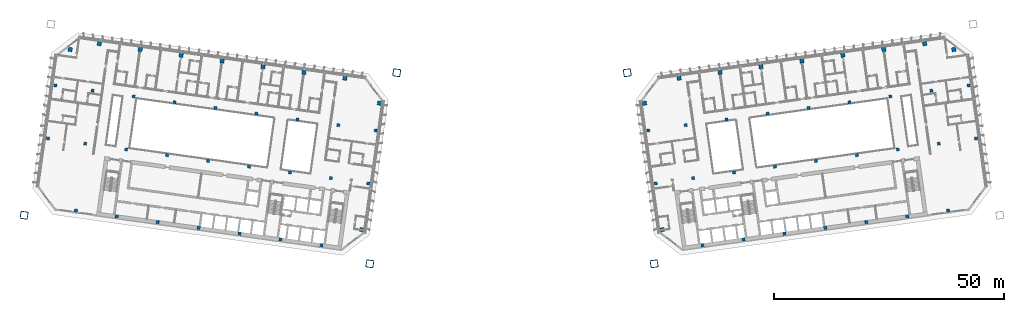
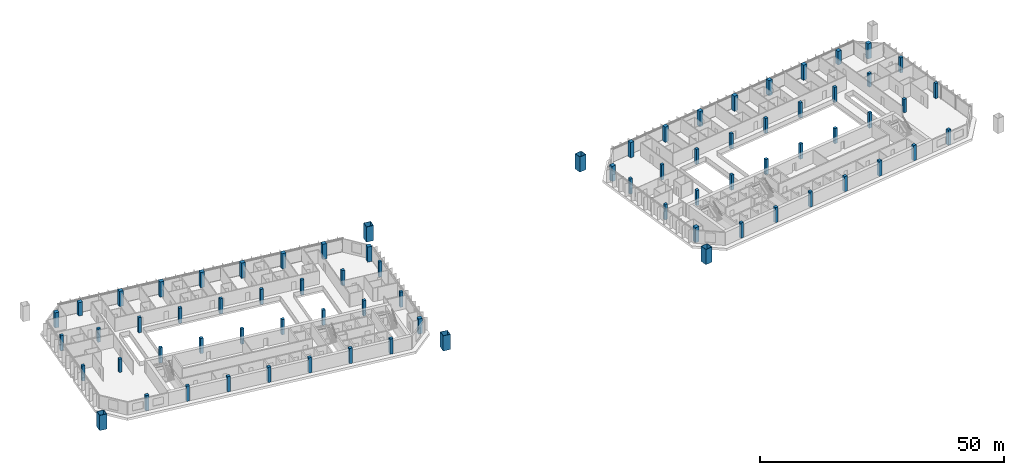
# One storey, part 1 of 26: 74 columns, 1 member.
"""IFC4 building model written with IfcOpenShell, lengths in metres."""

from ifc_helpers import new_model, si_unit, direction, frame, origin, origin_2d, place, context, subcontext, project, spatial, rectangle, hollow_rectangle, extrude, material, material_profile, profile_set, type_object, element, save


model = new_model("IFC4")

# Units and contexts
model_context = context("Model", 3, precision=1e-05, world=origin(), true_north=direction((0.0, 1.0)))
body_context = subcontext(model_context, "Body", "Model", "MODEL_VIEW")
ifc_project = project(units=[si_unit("LENGTHUNIT", "METRE"), si_unit("AREAUNIT", "SQUARE_METRE"), si_unit("VOLUMEUNIT", "CUBIC_METRE"), si_unit("PLANEANGLEUNIT", "RADIAN"), si_unit("MASSUNIT", "GRAM", prefix="KILO")], contexts=[model_context])

# Site, building, storey
site_placement = place(None, origin())
site = spatial("IfcSite", under=ifc_project, at=site_placement, CompositionType="ELEMENT")
building_placement = place(site_placement, origin())
building = spatial("IfcBuilding", under=site, at=building_placement, Name="Mirante Cascada Hotel Towers", CompositionType="ELEMENT")
storey_placement = place(building_placement, frame((0.0, 0.0, 144.3)))
storey = spatial("IfcBuildingStorey", under=building, at=storey_placement, Name="L33", CompositionType="ELEMENT", Elevation=144.3)

# Columns
ifc_material_1 = material(Name="Steel ASTM A572 Gr 50", Category="steel")
ifc_material_profile_1 = material_profile(ifc_material_1, hollow_rectangle(XDim=1.6, YDim=1.6, WallThickness=0.07, at=origin_2d()), Name="Box column 1600x1600x70 ASTM A572 Gr 50")
ifc_profile_set_1 = profile_set([ifc_material_profile_1], Name="Steel ASTM A572 Gr 50")
column_type_1 = type_object("IfcColumnType", Name="Box column 1600x1600x70 ASTM A572 Gr 50", PredefinedType="COLUMN", material=ifc_profile_set_1)
for number, where, z_axis, x_axis, name in (
    (1, (-25.0968, 18.5173, 0.0), (0.0, 0.0, 1.0), (-0.9902681, 0.1391731, 0.0), "Mega column MC1 T1 L33"),
    (2, (-30.9421, -23.074, 0.0), (0.0, 0.0, 1.0), (-0.9902681, 0.1391731, 0.0), "Mega column MC2 T1 L33"),
    (3, (25.0968, 18.5173, 0.0), (0.0, 0.0, 1.0), (0.9902681, 0.1391731, 0.0), "Mega column MC1 T2 L33"),
    (4, (30.9421, -23.074, 0.0), (0.0, 0.0, 1.0), (0.9902681, 0.1391731, 0.0), "Mega column MC2 T2 L33"),
):
    element("IfcColumn", number, at=place(storey_placement, frame(where, z_axis=z_axis, x_axis=x_axis)), inside=storey, type_object=column_type_1, Name=name, PredefinedType="COLUMN", context=body_context, shape_type="SweptSolid", body=[
        extrude(hollow_rectangle(XDim=1.6, YDim=1.6, WallThickness=0.07, at=origin_2d()), origin(), (0.0, 0.0, 1.0), 3.8),
    ])
ifc_material_2 = material(Name="Concrete C60/75", Category="concrete")
ifc_material_profile_2 = material_profile(ifc_material_2, rectangle(XDim=0.65, YDim=0.65, at=origin_2d()), Name="RC column 650x650 C60/75")
ifc_profile_set_2 = profile_set([ifc_material_profile_2], Name="Concrete C60/75")
column_type_2 = type_object("IfcColumnType", Name="RC column 650x650 C60/75", PredefinedType="COLUMN", material=ifc_profile_set_2)
for number, where, z_axis, x_axis, name in (
    (5, (-29.6893, 5.9592, 0.0), (0.0, 0.0, 1.0), (-0.9902681, 0.1391731, 0.0), "Column T1 L33 2"),
    (6, (-31.3106, -5.5774, 0.0), (0.0, 0.0, 1.0), (-0.9902681, 0.1391731, 0.0), "Column T1 L33 3"),
    (7, (-37.8095, 7.1004, 0.0), (0.0, 0.0, 1.0), (-0.9902681, 0.1391731, 0.0), "Column T1 L33 6"),
    (8, (-39.4308, -4.4362, 0.0), (0.0, 0.0, 1.0), (-0.9902681, 0.1391731, 0.0), "Column T1 L33 7"),
    (9, (-46.7219, 8.353, 0.0), (0.0, 0.0, 1.0), (-0.9902681, 0.1391731, 0.0), "Column T1 L33 10"),
    (10, (-48.3432, -3.1836, 0.0), (0.0, 0.0, 1.0), (-0.9902681, 0.1391731, 0.0), "Column T1 L33 11"),
    (11, (-55.6343, 9.6055, 0.0), (0.0, 0.0, 1.0), (-0.9902681, 0.1391731, 0.0), "Column T1 L33 14"),
    (12, (-57.2557, -1.9311, 0.0), (0.0, 0.0, 1.0), (-0.9902681, 0.1391731, 0.0), "Column T1 L33 15"),
    (13, (-64.5467, 10.8581, 0.0), (0.0, 0.0, 1.0), (-0.9902681, 0.1391731, 0.0), "Column T1 L33 18"),
    (14, (-66.1681, -0.6785, 0.0), (0.0, 0.0, 1.0), (-0.9902681, 0.1391731, 0.0), "Column T1 L33 19"),
    (15, (-73.4591, 12.1107, 0.0), (0.0, 0.0, 1.0), (-0.9902681, 0.1391731, 0.0), "Column T1 L33 22"),
    (16, (-75.0805, 0.574, 0.0), (0.0, 0.0, 1.0), (-0.9902681, 0.1391731, 0.0), "Column T1 L33 23"),
    (17, (-82.3715, 13.3632, 0.0), (0.0, 0.0, 1.0), (-0.9902681, 0.1391731, 0.0), "Column T1 L33 26"),
    (18, (-83.9929, 1.8266, 0.0), (0.0, 0.0, 1.0), (-0.9902681, 0.1391731, 0.0), "Column T1 L33 27"),
):
    element("IfcColumn", number, at=place(storey_placement, frame(where, z_axis=z_axis, x_axis=x_axis)), inside=storey, type_object=column_type_2, Name=name, PredefinedType="COLUMN", context=body_context, shape_type="SweptSolid", body=[
        extrude(rectangle(XDim=0.65, YDim=0.65, at=origin_2d()), origin(), (0.0, 0.0, 1.0), 3.8),
    ])
for number, where, z_axis, x_axis, name in (
    (19, (-91.2839, 14.6158, 0.0), (0.0, 0.0, 1.0), (-0.9902681, 0.1391731, 0.0), "Column T1 L33 30"),
    (20, (-92.9053, 3.0792, 0.0), (0.0, 0.0, 1.0), (-0.9902681, 0.1391731, 0.0), "Column T1 L33 31"),
):
    element("IfcColumn", number, at=place(storey_placement, frame(where, z_axis=z_axis, x_axis=x_axis)), inside=storey, type_object=column_type_2, Name=name, PredefinedType="COLUMN", context=body_context, shape_type="SweptSolid", body=[
        extrude(rectangle(XDim=0.65, YDim=0.65, at=origin_2d()), origin(), (0.0, 0.0, 1.0), 3.3539),
    ])
for number, where, z_axis, x_axis, name in (
    (21, (-99.4041, 15.757, 0.0), (0.0, 0.0, 1.0), (-0.9902681, 0.1391731, 0.0), "Column T1 L33 34"),
    (22, (-101.0255, 4.2204, 0.0), (0.0, 0.0, 1.0), (-0.9902681, 0.1391731, 0.0), "Column T1 L33 35"),
    (23, (29.6893, 5.9592, 0.0), (0.0, 0.0, 1.0), (0.9902681, 0.1391731, 0.0), "Column T2 L33 2"),
    (24, (31.3106, -5.5774, 0.0), (0.0, 0.0, 1.0), (0.9902681, 0.1391731, 0.0), "Column T2 L33 3"),
    (25, (37.8095, 7.1004, 0.0), (0.0, 0.0, 1.0), (0.9902681, 0.1391731, 0.0), "Column T2 L33 6"),
    (26, (39.4308, -4.4362, 0.0), (0.0, 0.0, 1.0), (0.9902681, 0.1391731, 0.0), "Column T2 L33 7"),
    (27, (46.7219, 8.353, 0.0), (0.0, 0.0, 1.0), (0.9902681, 0.1391731, 0.0), "Column T2 L33 10"),
    (28, (48.3432, -3.1836, 0.0), (0.0, 0.0, 1.0), (0.9902681, 0.1391731, 0.0), "Column T2 L33 11"),
    (29, (55.6343, 9.6055, 0.0), (0.0, 0.0, 1.0), (0.9902681, 0.1391731, 0.0), "Column T2 L33 14"),
    (30, (57.2557, -1.9311, 0.0), (0.0, 0.0, 1.0), (0.9902681, 0.1391731, 0.0), "Column T2 L33 15"),
    (31, (64.5467, 10.8581, 0.0), (0.0, 0.0, 1.0), (0.9902681, 0.1391731, 0.0), "Column T2 L33 18"),
    (32, (66.1681, -0.6785, 0.0), (0.0, 0.0, 1.0), (0.9902681, 0.1391731, 0.0), "Column T2 L33 19"),
    (33, (73.4591, 12.1107, 0.0), (0.0, 0.0, 1.0), (0.9902681, 0.1391731, 0.0), "Column T2 L33 22"),
    (34, (75.0805, 0.574, 0.0), (0.0, 0.0, 1.0), (0.9902681, 0.1391731, 0.0), "Column T2 L33 23"),
    (35, (82.3715, 13.3632, 0.0), (0.0, 0.0, 1.0), (0.9902681, 0.1391731, 0.0), "Column T2 L33 26"),
    (36, (83.9929, 1.8266, 0.0), (0.0, 0.0, 1.0), (0.9902681, 0.1391731, 0.0), "Column T2 L33 27"),
):
    element("IfcColumn", number, at=place(storey_placement, frame(where, z_axis=z_axis, x_axis=x_axis)), inside=storey, type_object=column_type_2, Name=name, PredefinedType="COLUMN", context=body_context, shape_type="SweptSolid", body=[
        extrude(rectangle(XDim=0.65, YDim=0.65, at=origin_2d()), origin(), (0.0, 0.0, 1.0), 3.8),
    ])
for number, where, z_axis, x_axis, name in (
    (37, (91.2839, 14.6158, 0.0), (0.0, 0.0, 1.0), (0.9902681, 0.1391731, 0.0), "Column T2 L33 30"),
    (38, (92.9053, 3.0792, 0.0), (0.0, 0.0, 1.0), (0.9902681, 0.1391731, 0.0), "Column T2 L33 31"),
):
    element("IfcColumn", number, at=place(storey_placement, frame(where, z_axis=z_axis, x_axis=x_axis)), inside=storey, type_object=column_type_2, Name=name, PredefinedType="COLUMN", context=body_context, shape_type="SweptSolid", body=[
        extrude(rectangle(XDim=0.65, YDim=0.65, at=origin_2d()), origin(), (0.0, 0.0, 1.0), 3.3539),
    ])
for number, where, z_axis, x_axis, name in (
    (39, (99.4041, 15.757, 0.0), (0.0, 0.0, 1.0), (0.9902681, 0.1391731, 0.0), "Column T2 L33 34"),
    (40, (101.0255, 4.2204, 0.0), (0.0, 0.0, 1.0), (0.9902681, 0.1391731, 0.0), "Column T2 L33 35"),
):
    element("IfcColumn", number, at=place(storey_placement, frame(where, z_axis=z_axis, x_axis=x_axis)), inside=storey, type_object=column_type_2, Name=name, PredefinedType="COLUMN", context=body_context, shape_type="SweptSolid", body=[
        extrude(rectangle(XDim=0.65, YDim=0.65, at=origin_2d()), origin(), (0.0, 0.0, 1.0), 3.8),
    ])
ifc_material_3 = material(Name="Concrete C60/75", Category="concrete")
ifc_material_profile_3 = material_profile(ifc_material_3, rectangle(XDim=0.7, YDim=0.7, at=origin_2d()), Name="RC column 700x700 C60/75")
ifc_profile_set_3 = profile_set([ifc_material_profile_3], Name="Concrete C60/75")
column_type_3 = type_object("IfcColumnType", Name="RC column 700x700 C60/75", PredefinedType="COLUMN", material=ifc_profile_set_3)
for number, where, z_axis, x_axis, name in (
    (41, (-41.4802, -19.0179, 0.0), (0.0, 0.0, 1.0), (-0.9902681, 0.1391731, 0.0), "Column T1 L33 8"),
    (42, (-50.3926, -17.7653, 0.0), (0.0, 0.0, 1.0), (-0.9902681, 0.1391731, 0.0), "Column T1 L33 12"),
    (43, (-59.305, -16.5128, 0.0), (0.0, 0.0, 1.0), (-0.9902681, 0.1391731, 0.0), "Column T1 L33 16"),
    (44, (-68.2174, -15.2602, 0.0), (0.0, 0.0, 1.0), (-0.9902681, 0.1391731, 0.0), "Column T1 L33 20"),
    (45, (-77.1298, -14.0077, 0.0), (0.0, 0.0, 1.0), (-0.9902681, 0.1391731, 0.0), "Column T1 L33 24"),
    (46, (-86.0422, -12.7551, 0.0), (0.0, 0.0, 1.0), (-0.9902681, 0.1391731, 0.0), "Column T1 L33 28"),
    (47, (-94.9546, -11.5025, 0.0), (0.0, 0.0, 1.0), (-0.9902681, 0.1391731, 0.0), "Column T1 L33 32"),
    (48, (41.4802, -19.0179, 0.0), (0.0, 0.0, 1.0), (0.9902681, 0.1391731, 0.0), "Column T2 L33 8"),
    (49, (50.3926, -17.7653, 0.0), (0.0, 0.0, 1.0), (0.9902681, 0.1391731, 0.0), "Column T2 L33 12"),
    (50, (59.305, -16.5128, 0.0), (0.0, 0.0, 1.0), (0.9902681, 0.1391731, 0.0), "Column T2 L33 16"),
    (51, (68.2174, -15.2602, 0.0), (0.0, 0.0, 1.0), (0.9902681, 0.1391731, 0.0), "Column T2 L33 20"),
    (52, (77.1298, -14.0077, 0.0), (0.0, 0.0, 1.0), (0.9902681, 0.1391731, 0.0), "Column T2 L33 24"),
    (53, (86.0422, -12.7551, 0.0), (0.0, 0.0, 1.0), (0.9902681, 0.1391731, 0.0), "Column T2 L33 28"),
    (54, (94.9546, -11.5025, 0.0), (0.0, 0.0, 1.0), (0.9902681, 0.1391731, 0.0), "Column T2 L33 32"),
):
    element("IfcColumn", number, at=place(storey_placement, frame(where, z_axis=z_axis, x_axis=x_axis)), inside=storey, type_object=column_type_3, Name=name, PredefinedType="COLUMN", context=body_context, shape_type="SweptSolid", body=[
        extrude(rectangle(XDim=0.7, YDim=0.7, at=origin_2d()), origin(), (0.0, 0.0, 1.0), 3.8),
    ])
ifc_material_4 = material(Name="Concrete C60/75", Category="concrete")
ifc_material_profile_4 = material_profile(ifc_material_4, rectangle(XDim=0.9, YDim=0.9, at=origin_2d()), Name="RC column 900x900 C60/75")
ifc_profile_set_4 = profile_set([ifc_material_profile_4], Name="Concrete C60/75")
column_type_4 = type_object("IfcColumnType", Name="RC column 900x900 C60/75", PredefinedType="COLUMN", material=ifc_profile_set_4)
for number, where, z_axis, x_axis, name in (
    (55, (-28.8577, 11.8761, 0.0), (0.0, 0.0, 1.0), (-0.9902681, 0.1391731, 0.0), "Column T1 L33 1"),
    (56, (-32.7267, -15.6534, 0.0), (0.0, 0.0, 1.0), (-0.9902681, 0.1391731, 0.0), "Column T1 L33 4"),
    (57, (-36.3725, 17.325, 0.0), (0.0, 0.0, 1.0), (-0.9902681, 0.1391731, 0.0), "Column T1 L33 5"),
    (58, (-45.2849, 18.5775, 0.0), (0.0, 0.0, 1.0), (-0.9902681, 0.1391731, 0.0), "Column T1 L33 9"),
    (59, (-54.1973, 19.8301, 0.0), (0.0, 0.0, 1.0), (-0.9902681, 0.1391731, 0.0), "Column T1 L33 13"),
    (60, (-63.1097, 21.0826, 0.0), (0.0, 0.0, 1.0), (-0.9902681, 0.1391731, 0.0), "Column T1 L33 17"),
    (61, (-72.0222, 22.3352, 0.0), (0.0, 0.0, 1.0), (-0.9902681, 0.1391731, 0.0), "Column T1 L33 21"),
    (62, (-80.9346, 23.5877, 0.0), (0.0, 0.0, 1.0), (-0.9902681, 0.1391731, 0.0), "Column T1 L33 25"),
):
    element("IfcColumn", number, at=place(storey_placement, frame(where, z_axis=z_axis, x_axis=x_axis)), inside=storey, type_object=column_type_4, Name=name, PredefinedType="COLUMN", context=body_context, shape_type="SweptSolid", body=[
        extrude(rectangle(XDim=0.9, YDim=0.9, at=origin_2d()), origin(), (0.0, 0.0, 1.0), 3.8),
    ])
column_1_placement = place(storey_placement, frame((-89.847, 24.8403, 0.0), z_axis=(0.0, 0.0, 1.0), x_axis=(-0.9902681, 0.1391731, 0.0)))
element("IfcColumn", 63, at=column_1_placement, inside=storey, type_object=column_type_4, Name="Column T1 L33 29", PredefinedType="COLUMN", context=body_context, shape_type="SweptSolid", body=[
    extrude(rectangle(XDim=0.9, YDim=0.9, at=origin_2d()), origin(), (0.0, 0.0, 1.0), 3.3529),
])
for number, where, z_axis, x_axis, name in (
    (64, (-96.1868, 23.5602, 0.0), (0.0, 0.0, 1.0), (-0.9902681, 0.1391731, 0.0), "Column T1 L33 33"),
    (65, (28.8577, 11.8761, 0.0), (0.0, 0.0, 1.0), (0.9902681, 0.1391731, 0.0), "Column T2 L33 1"),
    (66, (32.7267, -15.6534, 0.0), (0.0, 0.0, 1.0), (0.9902681, 0.1391731, 0.0), "Column T2 L33 4"),
    (67, (36.3725, 17.325, 0.0), (0.0, 0.0, 1.0), (0.9902681, 0.1391731, 0.0), "Column T2 L33 5"),
    (68, (45.2849, 18.5775, 0.0), (0.0, 0.0, 1.0), (0.9902681, 0.1391731, 0.0), "Column T2 L33 9"),
    (69, (54.1973, 19.8301, 0.0), (0.0, 0.0, 1.0), (0.9902681, 0.1391731, 0.0), "Column T2 L33 13"),
    (70, (63.1097, 21.0826, 0.0), (0.0, 0.0, 1.0), (0.9902681, 0.1391731, 0.0), "Column T2 L33 17"),
    (71, (72.0222, 22.3352, 0.0), (0.0, 0.0, 1.0), (0.9902681, 0.1391731, 0.0), "Column T2 L33 21"),
    (72, (80.9346, 23.5877, 0.0), (0.0, 0.0, 1.0), (0.9902681, 0.1391731, 0.0), "Column T2 L33 25"),
):
    element("IfcColumn", number, at=place(storey_placement, frame(where, z_axis=z_axis, x_axis=x_axis)), inside=storey, type_object=column_type_4, Name=name, PredefinedType="COLUMN", context=body_context, shape_type="SweptSolid", body=[
        extrude(rectangle(XDim=0.9, YDim=0.9, at=origin_2d()), origin(), (0.0, 0.0, 1.0), 3.8),
    ])
column_2_placement = place(storey_placement, frame((89.847, 24.8403, 0.0), z_axis=(0.0, 0.0, 1.0), x_axis=(0.9902681, 0.1391731, 0.0)))
element("IfcColumn", 73, at=column_2_placement, inside=storey, type_object=column_type_4, Name="Column T2 L33 29", PredefinedType="COLUMN", context=body_context, shape_type="SweptSolid", body=[
    extrude(rectangle(XDim=0.9, YDim=0.9, at=origin_2d()), origin(), (0.0, 0.0, 1.0), 3.3529),
])
column_3_placement = place(storey_placement, frame((96.1868, 23.5602, 0.0), z_axis=(0.0, 0.0, 1.0), x_axis=(0.9902681, 0.1391731, 0.0)))
element("IfcColumn", 74, at=column_3_placement, inside=storey, type_object=column_type_4, Name="Column T2 L33 33", PredefinedType="COLUMN", context=body_context, shape_type="SweptSolid", body=[
    extrude(rectangle(XDim=0.9, YDim=0.9, at=origin_2d()), origin(), (0.0, 0.0, 1.0), 3.8),
])

# Member
ifc_material_5 = material(Name="Steel ASTM A572 Gr 50", Category="steel")
ifc_material_profile_5 = material_profile(ifc_material_5, hollow_rectangle(XDim=1.6, YDim=1.6, WallThickness=0.07, at=origin_2d()), Name="Box post 1600x1600x70 ASTM A572 Gr 50")
ifc_profile_set_5 = profile_set([ifc_material_profile_5], Name="Steel ASTM A572 Gr 50")
member_type = type_object("IfcMemberType", Name="Box post 1600x1600x70 ASTM A572 Gr 50", PredefinedType="POST", material=ifc_profile_set_5)
member_placement = place(storey_placement, frame((-106.2025, -12.4968, 0.0), z_axis=(0.0, 0.0, 1.0), x_axis=(-0.9902681, 0.1391731, 0.0)))
element("IfcMember", 75, at=member_placement, inside=storey, type_object=member_type, Name="Mega column MP4 T1 L33", PredefinedType="POST", context=body_context, shape_type="SweptSolid", body=[
    extrude(hollow_rectangle(XDim=1.6, YDim=1.6, WallThickness=0.07, at=origin_2d()), origin(), (0.0, 0.0, 1.0), 3.8),
])

save(model, "model.ifc")
